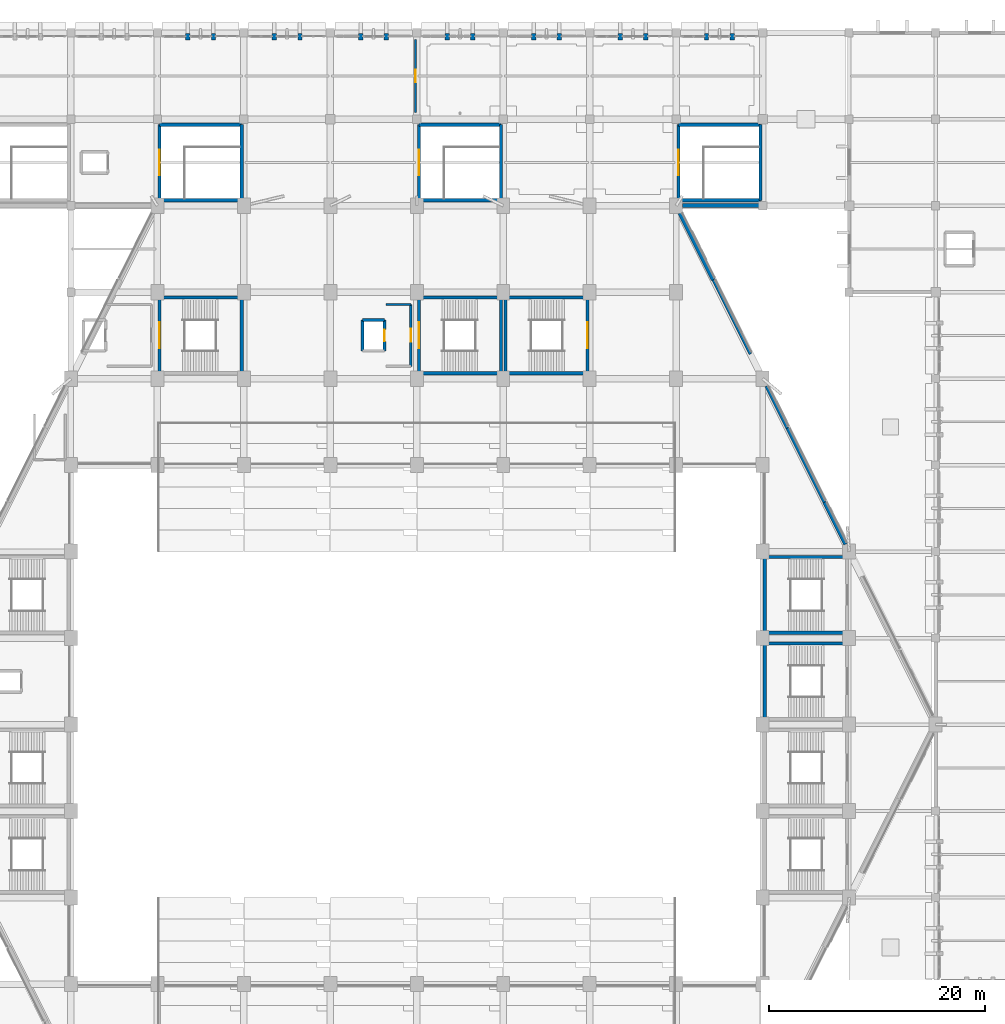
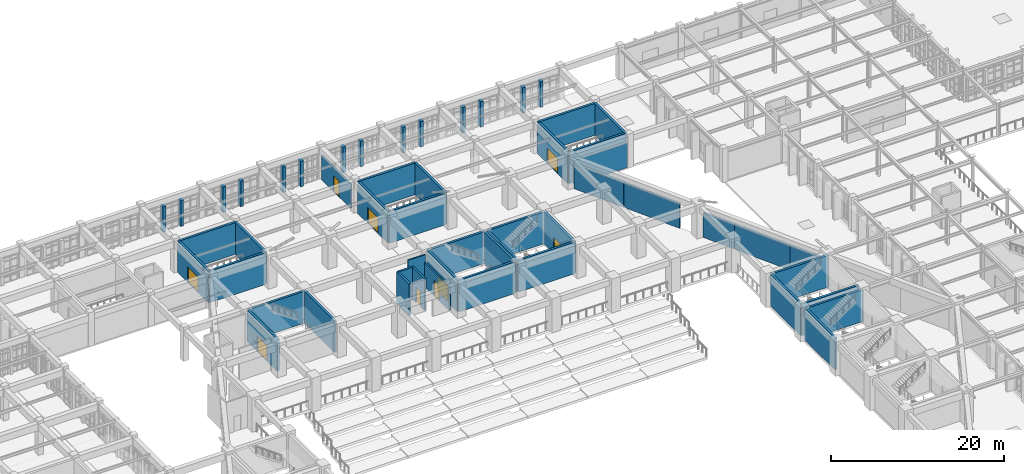
# One storey, part 138 of 155: 54 walls, 9 doors, 9 openings.
"""IFC4 building model written with IfcOpenShell, lengths in metres."""

from ifc_helpers import new_model, si_unit, direction, frame, frame_2d, origin, place, context, subcontext, project, spatial, rectangle, extrude, material, layer, layer_set, type_object, element, fill, save


model = new_model("IFC4")

# Units and contexts
model_context = context("Model", 3, precision=1e-05, world=origin(), true_north=direction((0.0, 1.0)))
body_context = subcontext(model_context, "Body", "Model", "MODEL_VIEW")
ifc_project = project(units=[si_unit("LENGTHUNIT", "METRE"), si_unit("AREAUNIT", "SQUARE_METRE"), si_unit("VOLUMEUNIT", "CUBIC_METRE"), si_unit("PLANEANGLEUNIT", "RADIAN"), si_unit("MASSUNIT", "GRAM", prefix="KILO")], contexts=[model_context])

# Site, building, storey
site_placement = place(None, origin())
site = spatial("IfcSite", under=ifc_project, at=site_placement, CompositionType="ELEMENT")
building_placement = place(site_placement, origin())
building = spatial("IfcBuilding", under=site, at=building_placement, Name="Tazarka Park Arena", CompositionType="ELEMENT")
storey_placement = place(building_placement, frame((0.0, 0.0, 5.39990234375)))
storey = spatial("IfcBuildingStorey", under=building, at=storey_placement, Name="L01", CompositionType="ELEMENT", Elevation=5.39990234375)

# Wall
ifc_material_1 = material(Name="Concrete C40/50", Category="concrete")
ifc_layer_1 = layer(ifc_material_1, 0.300048828125, Name="Concrete C40/50")
ifc_layer_set_1 = layer_set([ifc_layer_1], Name="Concrete C40/50")
wall_type_1 = type_object("IfcWallType", Name="IWAL-CW-S1", PredefinedType="SHEAR", material=ifc_layer_set_1)
wall_1_placement = place(storey_placement, frame((71.800048828125, 112.5, 0.0), z_axis=(0.0, 0.0, 1.0), x_axis=(-1.0, 0.0, 0.0)))
element("IfcWall", 1, at=wall_1_placement, inside=storey, type_object=wall_type_1, Name="SCW-L01-ST06-S", PredefinedType="SHEAR", context=body_context, shape_type="SweptSolid", body=[
    extrude(rectangle(XDim=7.60009765625, YDim=0.300048828125, at=frame_2d((3.800048828125, 0.0))), origin(), (0.0, 0.0, 1.0), 4.47998046875),
])

# Wall, opening, door
wall_2_placement = place(storey_placement, frame((64.199951171875, 112.5, 0.0), z_axis=(0.0, 0.0, 1.0), x_axis=(0.0, 1.0, 0.0)))
wall_2 = element("IfcWall", 2, at=wall_2_placement, inside=storey, type_object=wall_type_1, Name="SCW-L01-ST06-W", PredefinedType="SHEAR", context=body_context, shape_type="SweptSolid", body=[
    extrude(rectangle(XDim=7.0, YDim=0.300048828125, at=frame_2d((3.5, 0.0))), origin(), (0.0, 0.0, 1.0), 4.47998046875),
])
opening_1_placement = place(wall_2_placement, frame((2.300048828125, 0.0, 0.0)))
opening_1 = element("IfcOpeningElement", 3, at=opening_1_placement, cuts=wall_2, Name="Opening ID-05", PredefinedType="OPENING", context=body_context, shape_type="SweptSolid", body=[
    extrude(rectangle(XDim=2.39990234375, YDim=2.199951171875, at=frame_2d((1.199951171875, 1.10009765625))), frame((0.0, 0.16015625, 0.0), z_axis=(0.0, -1.0, 0.0), x_axis=(1.0, 0.0, 0.0)), (0.0, 0.0, 1.0), 0.320068359375),
])
ifc_material_2 = material(Name="Fire-rated powder-coated steel and acoustic timber", Category="steel")
door_type_1 = type_object("IfcDoorType", Name="IDR-ID-05", OperationType="NOTDEFINED", PredefinedType="DOOR", material=ifc_material_2)
door_1_placement = place(opening_1_placement, frame((2.39990234375, 0.0, 0.0), z_axis=(0.0, 0.0, 1.0), x_axis=(-1.0, 0.0, 0.0)))
door_1 = element("IfcDoor", 4, at=door_1_placement, inside=storey, type_object=door_type_1, Name="Exit Stair Door ST06-L01", OperationType="DOUBLE_DOOR_SINGLE_SWING", OverallHeight=2.199951171875, OverallWidth=2.39990234375, PredefinedType="DOOR", context=body_context, shape_type="SweptSolid", body=[
    extrude(rectangle(XDim=2.39990234375, YDim=2.199951171875, at=frame_2d((1.199951171875, 1.10009765625))), frame((0.0, 0.02490234375, 0.0), z_axis=(0.0, -1.0, 0.0), x_axis=(1.0, 0.0, 0.0)), (0.0, 0.0, 1.0), 0.050048828125),
])
fill(opening_1, door_1)

# Walls
wall_3_placement = place(storey_placement, frame((64.199951171875, 119.5, 0.0), z_axis=(0.0, 0.0, 1.0), x_axis=(1.0, 0.0, 0.0)))
element("IfcWall", 5, at=wall_3_placement, inside=storey, type_object=wall_type_1, Name="SCW-L01-ST06-N", PredefinedType="SHEAR", context=body_context, shape_type="SweptSolid", body=[
    extrude(rectangle(XDim=7.60009765625, YDim=0.300048828125, at=frame_2d((3.800048828125, 0.0))), origin(), (0.0, 0.0, 1.0), 4.47998046875),
])
wall_4_placement = place(storey_placement, frame((71.800048828125, 119.5, 0.0), z_axis=(0.0, 0.0, 1.0), x_axis=(0.0, -1.0, 0.0)))
element("IfcWall", 6, at=wall_4_placement, inside=storey, type_object=wall_type_1, Name="SCW-L01-ST06-E", PredefinedType="SHEAR", context=body_context, shape_type="SweptSolid", body=[
    extrude(rectangle(XDim=7.0, YDim=0.300048828125, at=frame_2d((3.5, 0.0))), origin(), (0.0, 0.0, 1.0), 4.47998046875),
])
wall_5_placement = place(storey_placement, frame((95.800048828125, 112.5, 0.0), z_axis=(0.0, 0.0, 1.0), x_axis=(-1.0, 0.0, 0.0)))
element("IfcWall", 7, at=wall_5_placement, inside=storey, type_object=wall_type_1, Name="SCW-L01-ST07-S", PredefinedType="SHEAR", context=body_context, shape_type="SweptSolid", body=[
    extrude(rectangle(XDim=7.60009765625, YDim=0.300048828125, at=frame_2d((3.800048828125, 0.0))), origin(), (0.0, 0.0, 1.0), 4.47998046875),
])

# Wall, opening, door
wall_6_placement = place(storey_placement, frame((88.199951171875, 112.5, 0.0), z_axis=(0.0, 0.0, 1.0), x_axis=(0.0, 1.0, 0.0)))
wall_6 = element("IfcWall", 8, at=wall_6_placement, inside=storey, type_object=wall_type_1, Name="SCW-L01-ST07-W", PredefinedType="SHEAR", context=body_context, shape_type="SweptSolid", body=[
    extrude(rectangle(XDim=7.0, YDim=0.300048828125, at=frame_2d((3.5, 0.0))), origin(), (0.0, 0.0, 1.0), 4.47998046875),
])
opening_2_placement = place(wall_6_placement, frame((2.300048828125, 0.0, 0.0)))
opening_2 = element("IfcOpeningElement", 9, at=opening_2_placement, cuts=wall_6, Name="Opening ID-05", PredefinedType="OPENING", context=body_context, shape_type="SweptSolid", body=[
    extrude(rectangle(XDim=2.39990234375, YDim=2.199951171875, at=frame_2d((1.199951171875, 1.10009765625))), frame((0.0, 0.16015625, 0.0), z_axis=(0.0, -1.0, 0.0), x_axis=(1.0, 0.0, 0.0)), (0.0, 0.0, 1.0), 0.320068359375),
])
door_2_placement = place(opening_2_placement, frame((2.39990234375, 0.0, 0.0), z_axis=(0.0, 0.0, 1.0), x_axis=(-1.0, 0.0, 0.0)))
door_2 = element("IfcDoor", 10, at=door_2_placement, inside=storey, type_object=door_type_1, Name="Exit Stair Door ST07-L01", OperationType="DOUBLE_DOOR_SINGLE_SWING", OverallHeight=2.199951171875, OverallWidth=2.39990234375, PredefinedType="DOOR", context=body_context, shape_type="SweptSolid", body=[
    extrude(rectangle(XDim=2.39990234375, YDim=2.199951171875, at=frame_2d((1.199951171875, 1.10009765625))), frame((0.0, 0.02490234375, 0.0), z_axis=(0.0, -1.0, 0.0), x_axis=(1.0, 0.0, 0.0)), (0.0, 0.0, 1.0), 0.050048828125),
])
fill(opening_2, door_2)

# Walls
wall_7_placement = place(storey_placement, frame((88.199951171875, 119.5, 0.0), z_axis=(0.0, 0.0, 1.0), x_axis=(1.0, 0.0, 0.0)))
element("IfcWall", 11, at=wall_7_placement, inside=storey, type_object=wall_type_1, Name="SCW-L01-ST07-N", PredefinedType="SHEAR", context=body_context, shape_type="SweptSolid", body=[
    extrude(rectangle(XDim=7.60009765625, YDim=0.300048828125, at=frame_2d((3.800048828125, 0.0))), origin(), (0.0, 0.0, 1.0), 4.47998046875),
])
wall_8_placement = place(storey_placement, frame((95.800048828125, 119.5, 0.0), z_axis=(0.0, 0.0, 1.0), x_axis=(0.0, -1.0, 0.0)))
element("IfcWall", 12, at=wall_8_placement, inside=storey, type_object=wall_type_1, Name="SCW-L01-ST07-E", PredefinedType="SHEAR", context=body_context, shape_type="SweptSolid", body=[
    extrude(rectangle(XDim=7.0, YDim=0.300048828125, at=frame_2d((3.5, 0.0))), origin(), (0.0, 0.0, 1.0), 4.47998046875),
])
wall_9_placement = place(storey_placement, frame((119.800048828125, 112.5, 0.0), z_axis=(0.0, 0.0, 1.0), x_axis=(-1.0, 0.0, 0.0)))
element("IfcWall", 13, at=wall_9_placement, inside=storey, type_object=wall_type_1, Name="SCW-L01-ST08-S", PredefinedType="SHEAR", context=body_context, shape_type="SweptSolid", body=[
    extrude(rectangle(XDim=7.60009765625, YDim=0.300048828125, at=frame_2d((3.800048828125, 0.0))), origin(), (0.0, 0.0, 1.0), 4.47998046875),
])

# Wall, opening, door
wall_10_placement = place(storey_placement, frame((112.199951171875, 112.5, 0.0), z_axis=(0.0, 0.0, 1.0), x_axis=(0.0, 1.0, 0.0)))
wall_10 = element("IfcWall", 14, at=wall_10_placement, inside=storey, type_object=wall_type_1, Name="SCW-L01-ST08-W", PredefinedType="SHEAR", context=body_context, shape_type="SweptSolid", body=[
    extrude(rectangle(XDim=7.0, YDim=0.300048828125, at=frame_2d((3.5, 0.0))), origin(), (0.0, 0.0, 1.0), 4.47998046875),
])
opening_3_placement = place(wall_10_placement, frame((2.300048828125, 0.0, 0.0)))
opening_3 = element("IfcOpeningElement", 15, at=opening_3_placement, cuts=wall_10, Name="Opening ID-05", PredefinedType="OPENING", context=body_context, shape_type="SweptSolid", body=[
    extrude(rectangle(XDim=2.39990234375, YDim=2.199951171875, at=frame_2d((1.199951171875, 1.10009765625))), frame((0.0, 0.16015625, 0.0), z_axis=(0.0, -1.0, 0.0), x_axis=(1.0, 0.0, 0.0)), (0.0, 0.0, 1.0), 0.320068359375),
])
door_3_placement = place(opening_3_placement, frame((2.39990234375, 0.0, 0.0), z_axis=(0.0, 0.0, 1.0), x_axis=(-1.0, 0.0, 0.0)))
door_3 = element("IfcDoor", 16, at=door_3_placement, inside=storey, type_object=door_type_1, Name="Exit Stair Door ST08-L01", OperationType="DOUBLE_DOOR_SINGLE_SWING", OverallHeight=2.199951171875, OverallWidth=2.39990234375, PredefinedType="DOOR", context=body_context, shape_type="SweptSolid", body=[
    extrude(rectangle(XDim=2.39990234375, YDim=2.199951171875, at=frame_2d((1.199951171875, 1.10009765625))), frame((0.0, 0.02490234375, 0.0), z_axis=(0.0, -1.0, 0.0), x_axis=(1.0, 0.0, 0.0)), (0.0, 0.0, 1.0), 0.050048828125),
])
fill(opening_3, door_3)

# Walls
wall_11_placement = place(storey_placement, frame((112.199951171875, 119.5, 0.0), z_axis=(0.0, 0.0, 1.0), x_axis=(1.0, 0.0, 0.0)))
element("IfcWall", 17, at=wall_11_placement, inside=storey, type_object=wall_type_1, Name="SCW-L01-ST08-N", PredefinedType="SHEAR", context=body_context, shape_type="SweptSolid", body=[
    extrude(rectangle(XDim=7.60009765625, YDim=0.300048828125, at=frame_2d((3.800048828125, 0.0))), origin(), (0.0, 0.0, 1.0), 4.47998046875),
])
wall_12_placement = place(storey_placement, frame((119.800048828125, 119.5, 0.0), z_axis=(0.0, 0.0, 1.0), x_axis=(0.0, -1.0, 0.0)))
element("IfcWall", 18, at=wall_12_placement, inside=storey, type_object=wall_type_1, Name="SCW-L01-ST08-E", PredefinedType="SHEAR", context=body_context, shape_type="SweptSolid", body=[
    extrude(rectangle(XDim=7.0, YDim=0.300048828125, at=frame_2d((3.5, 0.0))), origin(), (0.0, 0.0, 1.0), 4.47998046875),
])
wall_13_placement = place(storey_placement, frame((103.800048828125, 96.5, 0.0), z_axis=(0.0, 0.0, 1.0), x_axis=(-1.0, 0.0, 0.0)))
element("IfcWall", 19, at=wall_13_placement, inside=storey, type_object=wall_type_1, Name="SCW-L01-ST10-S", PredefinedType="SHEAR", context=body_context, shape_type="SweptSolid", body=[
    extrude(rectangle(XDim=7.60009765625, YDim=0.300048828125, at=frame_2d((3.800048828125, 0.0))), origin(), (0.0, 0.0, 1.0), 4.47998046875),
])
wall_14_placement = place(storey_placement, frame((96.199951171875, 96.5, 0.0), z_axis=(0.0, 0.0, 1.0), x_axis=(0.0, 1.0, 0.0)))
element("IfcWall", 20, at=wall_14_placement, inside=storey, type_object=wall_type_1, Name="SCW-L01-ST10-W", PredefinedType="SHEAR", context=body_context, shape_type="SweptSolid", body=[
    extrude(rectangle(XDim=7.0, YDim=0.300048828125, at=frame_2d((3.5, 0.0))), origin(), (0.0, 0.0, 1.0), 4.47998046875),
])
wall_15_placement = place(storey_placement, frame((96.199951171875, 103.5, 0.0), z_axis=(0.0, 0.0, 1.0), x_axis=(1.0, 0.0, 0.0)))
element("IfcWall", 21, at=wall_15_placement, inside=storey, type_object=wall_type_1, Name="SCW-L01-ST10-N", PredefinedType="SHEAR", context=body_context, shape_type="SweptSolid", body=[
    extrude(rectangle(XDim=7.60009765625, YDim=0.300048828125, at=frame_2d((3.800048828125, 0.0))), origin(), (0.0, 0.0, 1.0), 4.47998046875),
])

# Wall, opening, door
wall_16_placement = place(storey_placement, frame((103.800048828125, 103.5, 0.0), z_axis=(0.0, 0.0, 1.0), x_axis=(0.0, -1.0, 0.0)))
wall_16 = element("IfcWall", 22, at=wall_16_placement, inside=storey, type_object=wall_type_1, Name="SCW-L01-ST10-E", PredefinedType="SHEAR", context=body_context, shape_type="SweptSolid", body=[
    extrude(rectangle(XDim=7.0, YDim=0.300048828125, at=frame_2d((3.5, 0.0))), origin(), (0.0, 0.0, 1.0), 4.47998046875),
])
opening_4_placement = place(wall_16_placement, frame((2.300048828125, 0.0, 0.0)))
opening_4 = element("IfcOpeningElement", 23, at=opening_4_placement, cuts=wall_16, Name="Opening ID-05", PredefinedType="OPENING", context=body_context, shape_type="SweptSolid", body=[
    extrude(rectangle(XDim=2.39990234375, YDim=2.199951171875, at=frame_2d((1.199951171875, 1.10009765625))), frame((0.0, 0.16015625, 0.0), z_axis=(0.0, -1.0, 0.0), x_axis=(1.0, 0.0, 0.0)), (0.0, 0.0, 1.0), 0.320068359375),
])
door_4_placement = place(opening_4_placement, frame((2.39990234375, 0.0, 0.0), z_axis=(0.0, 0.0, 1.0), x_axis=(-1.0, 0.0, 0.0)))
door_4 = element("IfcDoor", 24, at=door_4_placement, inside=storey, type_object=door_type_1, Name="Exit Stair Door ST10-L01", OperationType="DOUBLE_DOOR_SINGLE_SWING", OverallHeight=2.199951171875, OverallWidth=2.39990234375, PredefinedType="DOOR", context=body_context, shape_type="SweptSolid", body=[
    extrude(rectangle(XDim=2.39990234375, YDim=2.199951171875, at=frame_2d((1.199951171875, 1.10009765625))), frame((0.0, 0.02490234375, 0.0), z_axis=(0.0, -1.0, 0.0), x_axis=(1.0, 0.0, 0.0)), (0.0, 0.0, 1.0), 0.050048828125),
])
fill(opening_4, door_4)

wall_17_placement = place(storey_placement, frame((64.199951171875, 96.5, 0.0), z_axis=(0.0, 0.0, 1.0), x_axis=(0.0, 1.0, 0.0)))
wall_17 = element("IfcWall", 25, at=wall_17_placement, inside=storey, type_object=wall_type_1, Name="SCW-L01-ST14-W", PredefinedType="SHEAR", context=body_context, shape_type="SweptSolid", body=[
    extrude(rectangle(XDim=7.0, YDim=0.300048828125, at=frame_2d((3.5, 0.0))), origin(), (0.0, 0.0, 1.0), 4.47998046875),
])
opening_5_placement = place(wall_17_placement, frame((2.300048828125, 0.0, 0.0)))
opening_5 = element("IfcOpeningElement", 26, at=opening_5_placement, cuts=wall_17, Name="Opening ID-05", PredefinedType="OPENING", context=body_context, shape_type="SweptSolid", body=[
    extrude(rectangle(XDim=2.39990234375, YDim=2.199951171875, at=frame_2d((1.199951171875, 1.10009765625))), frame((0.0, 0.16015625, 0.0), z_axis=(0.0, -1.0, 0.0), x_axis=(1.0, 0.0, 0.0)), (0.0, 0.0, 1.0), 0.320068359375),
])
door_5_placement = place(opening_5_placement, frame((2.39990234375, 0.0, 0.0), z_axis=(0.0, 0.0, 1.0), x_axis=(-1.0, 0.0, 0.0)))
door_5 = element("IfcDoor", 27, at=door_5_placement, inside=storey, type_object=door_type_1, Name="Exit Stair Door ST14-L01", OperationType="DOUBLE_DOOR_SINGLE_SWING", OverallHeight=2.199951171875, OverallWidth=2.39990234375, PredefinedType="DOOR", context=body_context, shape_type="SweptSolid", body=[
    extrude(rectangle(XDim=2.39990234375, YDim=2.199951171875, at=frame_2d((1.199951171875, 1.10009765625))), frame((0.0, 0.02490234375, 0.0), z_axis=(0.0, -1.0, 0.0), x_axis=(1.0, 0.0, 0.0)), (0.0, 0.0, 1.0), 0.050048828125),
])
fill(opening_5, door_5)

# Walls
wall_18_placement = place(storey_placement, frame((64.199951171875, 103.5, 0.0), z_axis=(0.0, 0.0, 1.0), x_axis=(1.0, 0.0, 0.0)))
element("IfcWall", 28, at=wall_18_placement, inside=storey, type_object=wall_type_1, Name="SCW-L01-ST14-N", PredefinedType="SHEAR", context=body_context, shape_type="SweptSolid", body=[
    extrude(rectangle(XDim=7.60009765625, YDim=0.300048828125, at=frame_2d((3.800048828125, 0.0))), origin(), (0.0, 0.0, 1.0), 4.47998046875),
])
wall_19_placement = place(storey_placement, frame((71.800048828125, 103.5, 0.0), z_axis=(0.0, 0.0, 1.0), x_axis=(0.0, -1.0, 0.0)))
element("IfcWall", 29, at=wall_19_placement, inside=storey, type_object=wall_type_1, Name="SCW-L01-ST14-E", PredefinedType="SHEAR", context=body_context, shape_type="SweptSolid", body=[
    extrude(rectangle(XDim=7.0, YDim=0.300048828125, at=frame_2d((3.5, 0.0))), origin(), (0.0, 0.0, 1.0), 4.47998046875),
])
wall_20_placement = place(storey_placement, frame((95.800048828125, 96.5, 0.0), z_axis=(0.0, 0.0, 1.0), x_axis=(-1.0, 0.0, 0.0)))
element("IfcWall", 30, at=wall_20_placement, inside=storey, type_object=wall_type_1, Name="SCW-L01-ST15-S", PredefinedType="SHEAR", context=body_context, shape_type="SweptSolid", body=[
    extrude(rectangle(XDim=7.60009765625, YDim=0.300048828125, at=frame_2d((3.800048828125, 0.0))), origin(), (0.0, 0.0, 1.0), 4.47998046875),
])

# Wall, opening, door
wall_21_placement = place(storey_placement, frame((88.199951171875, 96.5, 0.0), z_axis=(0.0, 0.0, 1.0), x_axis=(0.0, 1.0, 0.0)))
wall_21 = element("IfcWall", 31, at=wall_21_placement, inside=storey, type_object=wall_type_1, Name="SCW-L01-ST15-W", PredefinedType="SHEAR", context=body_context, shape_type="SweptSolid", body=[
    extrude(rectangle(XDim=7.0, YDim=0.300048828125, at=frame_2d((3.5, 0.0))), origin(), (0.0, 0.0, 1.0), 4.47998046875),
])
opening_6_placement = place(wall_21_placement, frame((2.300048828125, 0.0, 0.0)))
opening_6 = element("IfcOpeningElement", 32, at=opening_6_placement, cuts=wall_21, Name="Opening ID-05", PredefinedType="OPENING", context=body_context, shape_type="SweptSolid", body=[
    extrude(rectangle(XDim=2.39990234375, YDim=2.199951171875, at=frame_2d((1.199951171875, 1.10009765625))), frame((0.0, 0.16015625, 0.0), z_axis=(0.0, -1.0, 0.0), x_axis=(1.0, 0.0, 0.0)), (0.0, 0.0, 1.0), 0.320068359375),
])
door_6_placement = place(opening_6_placement, frame((2.39990234375, 0.0, 0.0), z_axis=(0.0, 0.0, 1.0), x_axis=(-1.0, 0.0, 0.0)))
door_6 = element("IfcDoor", 33, at=door_6_placement, inside=storey, type_object=door_type_1, Name="Exit Stair Door ST15-L01", OperationType="DOUBLE_DOOR_SINGLE_SWING", OverallHeight=2.199951171875, OverallWidth=2.39990234375, PredefinedType="DOOR", context=body_context, shape_type="SweptSolid", body=[
    extrude(rectangle(XDim=2.39990234375, YDim=2.199951171875, at=frame_2d((1.199951171875, 1.10009765625))), frame((0.0, 0.02490234375, 0.0), z_axis=(0.0, -1.0, 0.0), x_axis=(1.0, 0.0, 0.0)), (0.0, 0.0, 1.0), 0.050048828125),
])
fill(opening_6, door_6)

# Walls
wall_22_placement = place(storey_placement, frame((88.199951171875, 103.5, 0.0), z_axis=(0.0, 0.0, 1.0), x_axis=(1.0, 0.0, 0.0)))
element("IfcWall", 34, at=wall_22_placement, inside=storey, type_object=wall_type_1, Name="SCW-L01-ST15-N", PredefinedType="SHEAR", context=body_context, shape_type="SweptSolid", body=[
    extrude(rectangle(XDim=7.60009765625, YDim=0.300048828125, at=frame_2d((3.800048828125, 0.0))), origin(), (0.0, 0.0, 1.0), 4.47998046875),
])
for number, where, z_axis, x_axis, name in (
    (35, (95.800048828125, 103.5, 0.0), (0.0, 0.0, 1.0), (0.0, -1.0, 0.0), "SCW-L01-ST15-E"),
    (36, (120.199951171875, 64.5, 0.0), (0.0, 0.0, 1.0), (0.0, 1.0, 0.0), "SCW-L01-ST16-W"),
):
    element("IfcWall", number, at=place(storey_placement, frame(where, z_axis=z_axis, x_axis=x_axis)), inside=storey, type_object=wall_type_1, Name=name, PredefinedType="SHEAR", context=body_context, shape_type="SweptSolid", body=[
        extrude(rectangle(XDim=7.0, YDim=0.300048828125, at=frame_2d((3.5, 0.0))), origin(), (0.0, 0.0, 1.0), 4.47998046875),
    ])
for number, where, z_axis, x_axis, name in (
    (37, (120.199951171875, 71.5, 0.0), (0.0, 0.0, 1.0), (1.0, 0.0, 0.0), "SCW-L01-ST16-N"),
    (38, (127.800048828125, 72.5, 0.0), (0.0, 0.0, 1.0), (-1.0, 0.0, 0.0), "SCW-L01-ST22-S"),
):
    element("IfcWall", number, at=place(storey_placement, frame(where, z_axis=z_axis, x_axis=x_axis)), inside=storey, type_object=wall_type_1, Name=name, PredefinedType="SHEAR", context=body_context, shape_type="SweptSolid", body=[
        extrude(rectangle(XDim=7.60009765625, YDim=0.300048828125, at=frame_2d((3.800048828125, 0.0))), origin(), (0.0, 0.0, 1.0), 4.47998046875),
    ])
wall_23_placement = place(storey_placement, frame((120.199951171875, 72.5, 0.0), z_axis=(0.0, 0.0, 1.0), x_axis=(0.0, 1.0, 0.0)))
element("IfcWall", 39, at=wall_23_placement, inside=storey, type_object=wall_type_1, Name="SCW-L01-ST22-W", PredefinedType="SHEAR", context=body_context, shape_type="SweptSolid", body=[
    extrude(rectangle(XDim=7.0, YDim=0.300048828125, at=frame_2d((3.5, 0.0))), origin(), (0.0, 0.0, 1.0), 4.47998046875),
])
wall_24_placement = place(storey_placement, frame((120.199951171875, 79.5, 0.0), z_axis=(0.0, 0.0, 1.0), x_axis=(1.0, 0.0, 0.0)))
element("IfcWall", 40, at=wall_24_placement, inside=storey, type_object=wall_type_1, Name="SCW-L01-ST22-N", PredefinedType="SHEAR", context=body_context, shape_type="SweptSolid", body=[
    extrude(rectangle(XDim=7.60009765625, YDim=0.300048828125, at=frame_2d((3.800048828125, 0.0))), origin(), (0.0, 0.0, 1.0), 4.47998046875),
])
ifc_material_3 = material(Name="Concrete C40/50", Category="concrete")
ifc_layer_2 = layer(ifc_material_3, 0.260009765625, Name="Concrete C40/50")
ifc_layer_set_2 = layer_set([ifc_layer_2], Name="Concrete C40/50")
wall_type_2 = type_object("IfcWallType", Name="IWAL-CW-S3", PredefinedType="SHEAR", material=ifc_layer_set_2)
wall_25_placement = place(storey_placement, frame((82.97998046875, 98.580078125, 0.0), z_axis=(0.0, 0.0, 1.0), x_axis=(0.0, 1.0, 0.0)))
element("IfcWall", 41, at=wall_25_placement, inside=storey, type_object=wall_type_2, Name="LSW-L01-LF-03-W", PredefinedType="SHEAR", context=body_context, shape_type="SweptSolid", body=[
    extrude(rectangle(XDim=2.83984375, YDim=0.260009765625, at=frame_2d((1.419921875, 0.0))), origin(), (0.0, 0.0, 1.0), 4.47998046875),
])
wall_26_placement = place(storey_placement, frame((82.97998046875, 101.419921875, 0.0), z_axis=(0.0, 0.0, 1.0), x_axis=(1.0, 0.0, 0.0)))
element("IfcWall", 42, at=wall_26_placement, inside=storey, type_object=wall_type_2, Name="LSW-L01-LF-03-N", PredefinedType="SHEAR", context=body_context, shape_type="SweptSolid", body=[
    extrude(rectangle(XDim=2.0400390625, YDim=0.260009765625, at=frame_2d((1.02001953125, 0.0))), origin(), (0.0, 0.0, 1.0), 4.47998046875),
])

# Wall, opening, door
wall_27_placement = place(storey_placement, frame((85.02001953125, 101.419921875, 0.0), z_axis=(0.0, 0.0, 1.0), x_axis=(0.0, -1.0, 0.0)))
wall_27 = element("IfcWall", 43, at=wall_27_placement, inside=storey, type_object=wall_type_2, Name="LSW-L01-LF-03-E", PredefinedType="SHEAR", context=body_context, shape_type="SweptSolid", body=[
    extrude(rectangle(XDim=2.83984375, YDim=0.260009765625, at=frame_2d((1.419921875, 0.0))), origin(), (0.0, 0.0, 1.0), 4.47998046875),
])
opening_7_placement = place(wall_27_placement, frame((0.8701171875, 0.0, 0.0)))
opening_7 = element("IfcOpeningElement", 44, at=opening_7_placement, cuts=wall_27, Name="Opening LD-01", PredefinedType="OPENING", context=body_context, shape_type="SweptSolid", body=[
    extrude(rectangle(XDim=1.10009765625, YDim=2.14990234375, at=frame_2d((0.550048828125, 1.074951171875))), frame((0.0, 0.14013671875, 0.0), z_axis=(0.0, -1.0, 0.0), x_axis=(1.0, 0.0, 0.0)), (0.0, 0.0, 1.0), 0.280029296875),
])
ifc_material_4 = material(Name="Fire-rated powder-coated steel and acoustic timber", Category="steel")
door_type_2 = type_object("IfcDoorType", Name="IDR-LD-01", OperationType="NOTDEFINED", PredefinedType="DOOR", material=ifc_material_4)
door_7_placement = place(opening_7_placement, origin())
door_7 = element("IfcDoor", 45, at=door_7_placement, inside=storey, type_object=door_type_2, Name="Lift Landing Door LF-03-L01", OperationType="SLIDING_TO_LEFT", OverallHeight=2.14990234375, OverallWidth=1.10009765625, PredefinedType="DOOR", context=body_context, shape_type="SweptSolid", body=[
    extrude(rectangle(XDim=1.10009765625, YDim=2.14990234375, at=frame_2d((0.550048828125, 1.074951171875))), frame((0.0, 0.02490234375, 0.0), z_axis=(0.0, -1.0, 0.0), x_axis=(1.0, 0.0, 0.0)), (0.0, 0.0, 1.0), 0.050048828125),
])
fill(opening_7, door_7)

# Wall
ifc_material_5 = material(Name="Reinforced masonry compartment wall", Category="masonry")
ifc_layer_3 = layer(ifc_material_5, 0.199951171875, Name="Reinforced masonry compartment wall")
ifc_layer_set_3 = layer_set([ifc_layer_3], Name="Reinforced masonry compartment wall")
wall_type_3 = type_object("IfcWallType", Name="IWAL-PT-04", PredefinedType="PARTITIONING", material=ifc_layer_set_3)
wall_28_placement = place(storey_placement, frame((85.14990234375, 102.85009765625, 0.0), z_axis=(0.0, 0.0, 1.0), x_axis=(1.0, 0.0, 0.0)))
element("IfcWall", 46, at=wall_28_placement, inside=storey, type_object=wall_type_3, Name="FFW-L01-LF-03-N", PredefinedType="PARTITIONING", context=body_context, shape_type="SweptSolid", body=[
    extrude(rectangle(XDim=2.300048828125, YDim=0.199951171875, at=frame_2d((1.14990234375, 0.0))), origin(), (0.0, 0.0, 1.0), 4.47998046875),
])

# Wall, opening, door
wall_29_placement = place(storey_placement, frame((87.449951171875, 102.85009765625, 0.0), z_axis=(0.0, 0.0, 1.0), x_axis=(0.0, -1.0, 0.0)))
wall_29 = element("IfcWall", 47, at=wall_29_placement, inside=storey, type_object=wall_type_3, Name="FFW-L01-LF-03-E", PredefinedType="PARTITIONING", context=body_context, shape_type="SweptSolid", body=[
    extrude(rectangle(XDim=5.7001953125, YDim=0.199951171875, at=frame_2d((2.85009765625, 0.0))), origin(), (0.0, 0.0, 1.0), 3.4501953125),
])
opening_8_placement = place(wall_29_placement, frame((2.25, 0.0, 0.0)))
opening_8 = element("IfcOpeningElement", 48, at=opening_8_placement, cuts=wall_29, Name="Opening ID-03", PredefinedType="OPENING", context=body_context, shape_type="SweptSolid", body=[
    extrude(rectangle(XDim=1.199951171875, YDim=2.199951171875, at=frame_2d((0.60009765625, 1.10009765625))), frame((0.0, 0.10986328125, 0.0), z_axis=(0.0, -1.0, 0.0), x_axis=(1.0, 0.0, 0.0)), (0.0, 0.0, 1.0), 0.219970703125),
])
ifc_material_6 = material(Name="Fire-rated powder-coated steel and acoustic timber", Category="steel")
door_type_3 = type_object("IfcDoorType", Name="IDR-ID-03", OperationType="NOTDEFINED", PredefinedType="DOOR", material=ifc_material_6)
door_8_placement = place(opening_8_placement, origin())
door_8 = element("IfcDoor", 49, at=door_8_placement, inside=storey, type_object=door_type_3, Name="Firefighting Lobby Door LF-03-L01", OperationType="SINGLE_SWING_LEFT", OverallHeight=2.199951171875, OverallWidth=1.199951171875, PredefinedType="DOOR", context=body_context, shape_type="SweptSolid", body=[
    extrude(rectangle(XDim=1.199951171875, YDim=2.199951171875, at=frame_2d((0.60009765625, 1.10009765625))), frame((0.0, 0.02490234375, 0.0), z_axis=(0.0, -1.0, 0.0), x_axis=(1.0, 0.0, 0.0)), (0.0, 0.0, 1.0), 0.050048828125),
])
fill(opening_8, door_8)

ifc_material_7 = material(Name="Wet-zone tiled blockwork wall", Category="masonry")
ifc_layer_4 = layer(ifc_material_7, 0.175048828125, Name="Wet-zone tiled blockwork wall")
ifc_layer_set_4 = layer_set([ifc_layer_4], Name="Wet-zone tiled blockwork wall")
wall_type_4 = type_object("IfcWallType", Name="IWAL-PT-18", PredefinedType="PARTITIONING", material=ifc_layer_set_4)
wall_30_placement = place(storey_placement, frame((87.89990234375, 127.388916015625, 0.0), z_axis=(0.0, 0.0, 1.0), x_axis=(0.0, -1.0, 0.0)))
wall_30 = element("IfcWall", 50, at=wall_30_placement, inside=storey, type_object=wall_type_4, Name="PRT-L01-016", PredefinedType="PARTITIONING", context=body_context, shape_type="SweptSolid", body=[
    extrude(rectangle(XDim=6.77783203125, YDim=0.175048828125, at=frame_2d((3.388916015625, 0.0))), origin(), (0.0, 0.0, 1.0), 3.4501953125),
])
opening_9_placement = place(wall_30_placement, frame((2.788818359375, 0.0, 0.0)))
opening_9 = element("IfcOpeningElement", 51, at=opening_9_placement, cuts=wall_30, Name="Opening ID-03", PredefinedType="OPENING", context=body_context, shape_type="SweptSolid", body=[
    extrude(rectangle(XDim=1.199951171875, YDim=2.199951171875, at=frame_2d((0.60009765625, 1.10009765625))), frame((0.0, 0.09765625, 0.0), z_axis=(0.0, -1.0, 0.0), x_axis=(1.0, 0.0, 0.0)), (0.0, 0.0, 1.0), 0.195068359375),
])
door_9_placement = place(opening_9_placement, origin())
door_9 = element("IfcDoor", 52, at=door_9_placement, inside=storey, type_object=door_type_3, Name="Room Door North Concourse Concessions and Merchandise Bar", OperationType="SINGLE_SWING_LEFT", OverallHeight=2.199951171875, OverallWidth=1.199951171875, PredefinedType="DOOR", context=body_context, shape_type="SweptSolid", body=[
    extrude(rectangle(XDim=1.199951171875, YDim=2.199951171875, at=frame_2d((0.60009765625, 1.10009765625))), frame((0.0, 0.02490234375, 0.0), z_axis=(0.0, -1.0, 0.0), x_axis=(1.0, 0.0, 0.0)), (0.0, 0.0, 1.0), 0.050048828125),
])
fill(opening_9, door_9)

# Walls
ifc_material_8 = material(Name="Concrete C50/60", Category="concrete")
ifc_layer_5 = layer(ifc_material_8, 0.3798828125, Name="Concrete C50/60")
ifc_layer_set_5 = layer_set([ifc_layer_5], Name="Concrete C50/60")
wall_type_5 = type_object("IfcWallType", Name="WAL-EW-05", PredefinedType="SOLIDWALL", material=ifc_layer_set_5)
wall_31_placement = place(storey_placement, frame((112.340087890625, 111.320068359375, 0.0), z_axis=(0.0, 0.0, 1.0), x_axis=(0.4472135955, -0.894427191, 0.0)))
element("IfcWall", 53, at=wall_31_placement, inside=storey, type_object=wall_type_5, Name="EW-L01-0164", PredefinedType="SOLIDWALL", context=body_context, shape_type="SweptSolid", body=[
    extrude(rectangle(XDim=6.90625, YDim=0.3798828125, at=frame_2d((3.453125, 0.0))), origin(), (0.0, 0.0, 1.0), 3.4501953125),
])
for number, where, z_axis, x_axis, name in (
    (54, (114.818359375, 127.330078125, 0.0), (0.0, 0.0, 1.0), (0.0, 1.0, 0.0), "BFP-L01-025-1"),
    (55, (117.181640625, 127.330078125, 0.0), (0.0, 0.0, 1.0), (0.0, 1.0, 0.0), "BFP-L01-025-2"),
    (56, (106.818359375, 127.330078125, 0.0), (0.0, 0.0, 1.0), (0.0, 1.0, 0.0), "BFP-L01-028-1"),
    (57, (109.181640625, 127.330078125, 0.0), (0.0, 0.0, 1.0), (0.0, 1.0, 0.0), "BFP-L01-028-2"),
    (58, (98.818359375, 127.330078125, 0.0), (0.0, 0.0, 1.0), (0.0, 1.0, 0.0), "BFP-L01-031-1"),
    (59, (101.181640625, 127.330078125, 0.0), (0.0, 0.0, 1.0), (0.0, 1.0, 0.0), "BFP-L01-031-2"),
    (60, (90.818359375, 127.330078125, 0.0), (0.0, 0.0, 1.0), (0.0, 1.0, 0.0), "BFP-L01-034-1"),
    (61, (93.181640625, 127.330078125, 0.0), (0.0, 0.0, 1.0), (0.0, 1.0, 0.0), "BFP-L01-034-2"),
    (62, (82.818359375, 127.330078125, 0.0), (0.0, 0.0, 1.0), (0.0, 1.0, 0.0), "BFP-L01-037-1"),
    (63, (85.181640625, 127.330078125, 0.0), (0.0, 0.0, 1.0), (0.0, 1.0, 0.0), "BFP-L01-037-2"),
    (64, (74.818359375, 127.330078125, 0.0), (0.0, 0.0, 1.0), (0.0, 1.0, 0.0), "BFP-L01-040-1"),
    (65, (77.181640625, 127.330078125, 0.0), (0.0, 0.0, 1.0), (0.0, 1.0, 0.0), "BFP-L01-040-2"),
    (66, (66.818359375, 127.330078125, 0.0), (0.0, 0.0, 1.0), (0.0, 1.0, 0.0), "BFP-L01-043-1"),
    (67, (69.181640625, 127.330078125, 0.0), (0.0, 0.0, 1.0), (0.0, 1.0, 0.0), "BFP-L01-043-2"),
):
    element("IfcWall", number, at=place(storey_placement, frame(where, z_axis=z_axis, x_axis=x_axis)), inside=storey, type_object=wall_type_5, Name=name, PredefinedType="SOLIDWALL", context=body_context, shape_type="SweptSolid", body=[
        extrude(rectangle(XDim=0.599853515625, YDim=0.3798828125, at=frame_2d((0.2998046875, 0.0))), origin(), (0.0, 0.0, 1.0), 3.60009765625),
    ])
ifc_material_9 = material(Name="Precast concrete C40/50", Category="concrete")
ifc_layer_6 = layer(ifc_material_9, 0.280029296875, Name="Precast concrete C40/50")
ifc_layer_set_6 = layer_set([ifc_layer_6], Name="Precast concrete C40/50")
wall_type_6 = type_object("IfcWallType", Name="WAL-EW-06", PredefinedType="SOLIDWALL", material=ifc_layer_set_6)
wall_32_placement = place(storey_placement, frame((115.4287109375, 105.142822265625, 0.0), z_axis=(0.0, 0.0, 1.0), x_axis=(0.447200857411, -0.894433559931, 0.0)))
element("IfcWall", 68, at=wall_32_placement, inside=storey, type_object=wall_type_6, Name="EW-L01-0165", PredefinedType="SOLIDWALL", context=body_context, shape_type="SweptSolid", body=[
    extrude(rectangle(XDim=7.66650390625, YDim=0.280029296875, at=frame_2d((3.833251953125, 0.0))), origin(), (0.0, 0.0, 1.0), 3.4501953125),
])
ifc_material_10 = material(Name="Precast concrete C40/50", Category="concrete")
ifc_layer_7 = layer(ifc_material_10, 0.2900390625, Name="Precast concrete C40/50")
ifc_layer_set_7 = layer_set([ifc_layer_7], Name="Precast concrete C40/50")
wall_type_7 = type_object("IfcWallType", Name="WAL-EW-07", PredefinedType="SOLIDWALL", material=ifc_layer_set_7)
wall_33_placement = place(storey_placement, frame((120.340087890625, 95.320068359375, 0.0), z_axis=(0.0, 0.0, 1.0), x_axis=(0.447191148821, -0.894438413987, 0.0)))
element("IfcWall", 69, at=wall_33_placement, inside=storey, type_object=wall_type_7, Name="EW-L01-0166", PredefinedType="SOLIDWALL", context=body_context, shape_type="SweptSolid", body=[
    extrude(rectangle(XDim=4.3505859375, YDim=0.2900390625, at=frame_2d((2.17529296875, 0.0))), origin(), (0.0, 0.0, 1.0), 3.4501953125),
])
ifc_material_11 = material(Name="Precast concrete C40/50", Category="concrete")
ifc_layer_8 = layer(ifc_material_11, 0.31005859375, Name="Precast concrete C40/50")
ifc_layer_set_8 = layer_set([ifc_layer_8], Name="Precast concrete C40/50")
wall_type_8 = type_object("IfcWallType", Name="WAL-EW-08", PredefinedType="SOLIDWALL", material=ifc_layer_set_8)
wall_34_placement = place(storey_placement, frame((122.28564453125, 91.4287109375, 0.0), z_axis=(0.0, 0.0, 1.0), x_axis=(0.4472135955, -0.894427191, 0.0)))
element("IfcWall", 70, at=wall_34_placement, inside=storey, type_object=wall_type_8, Name="EW-L01-0167", PredefinedType="SOLIDWALL", context=body_context, shape_type="SweptSolid", body=[
    extrude(rectangle(XDim=7.666748046875, YDim=0.31005859375, at=frame_2d((3.83349609375, 0.0))), origin(), (0.0, 0.0, 1.0), 3.4501953125),
])
ifc_material_12 = material(Name="Concrete C40/50", Category="concrete")
ifc_layer_9 = layer(ifc_material_12, 0.330078125, Name="Concrete C40/50")
ifc_layer_set_9 = layer_set([ifc_layer_9], Name="Concrete C40/50")
wall_type_9 = type_object("IfcWallType", Name="WAL-EW-09", PredefinedType="SOLIDWALL", material=ifc_layer_set_9)
wall_35_placement = place(storey_placement, frame((125.71435546875, 84.5712890625, 0.0), z_axis=(0.0, 0.0, 1.0), x_axis=(0.447191148821, -0.894438413987, 0.0)))
element("IfcWall", 71, at=wall_35_placement, inside=storey, type_object=wall_type_9, Name="EW-L01-0168", PredefinedType="SOLIDWALL", context=body_context, shape_type="SweptSolid", body=[
    extrude(rectangle(XDim=4.3505859375, YDim=0.330078125, at=frame_2d((2.17529296875, 0.0))), origin(), (0.0, 0.0, 1.0), 3.4501953125),
])
ifc_material_13 = material(Name="Concrete C40/50", Category="concrete")
ifc_layer_10 = layer(ifc_material_13, 0.3701171875, Name="Concrete C40/50")
ifc_layer_set_10 = layer_set([ifc_layer_10], Name="Concrete C40/50")
wall_type_10 = type_object("IfcWallType", Name="WAL-EW-12", PredefinedType="SOLIDWALL", material=ifc_layer_set_10)
wall_36_placement = place(storey_placement, frame((119.64501953125, 112.0, 0.0), z_axis=(0.0, 0.0, 1.0), x_axis=(-1.0, 0.0, 0.0)))
element("IfcWall", 72, at=wall_36_placement, inside=storey, type_object=wall_type_10, Name="EW-L01-0171", PredefinedType="SOLIDWALL", context=body_context, shape_type="SweptSolid", body=[
    extrude(rectangle(XDim=7.06494140625, YDim=0.3701171875, at=frame_2d((3.532470703125, 0.0))), origin(), (0.0, 0.0, 1.0), 3.4501953125),
])

save(model, "model.ifc")
